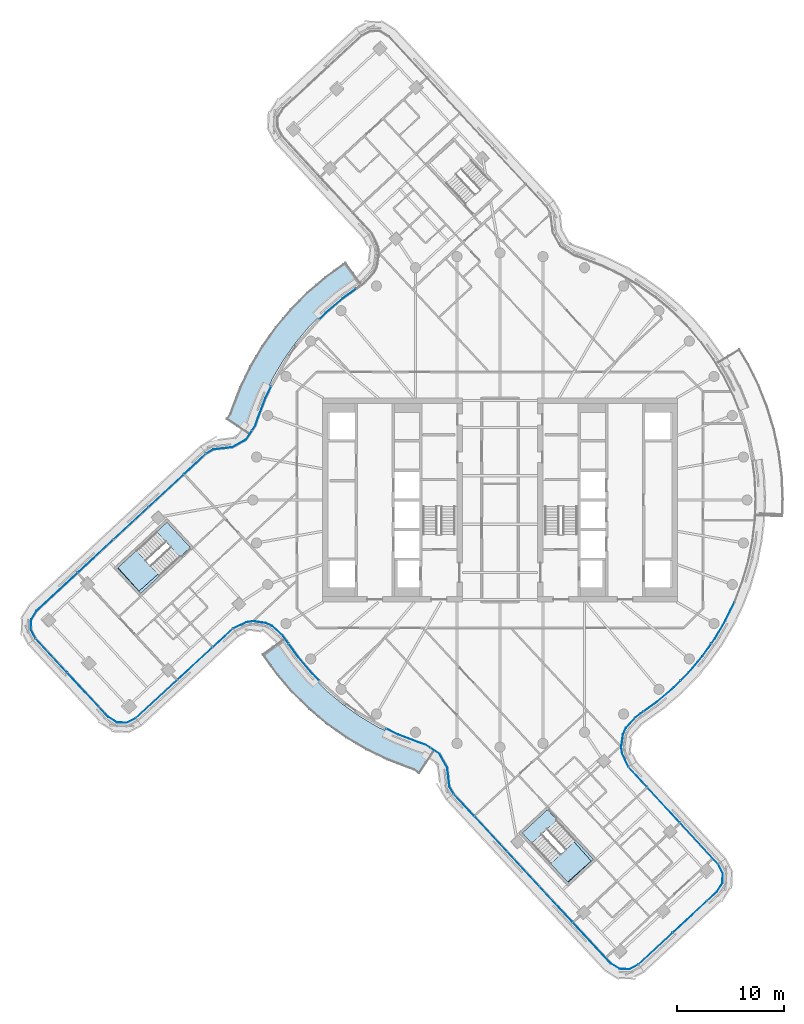
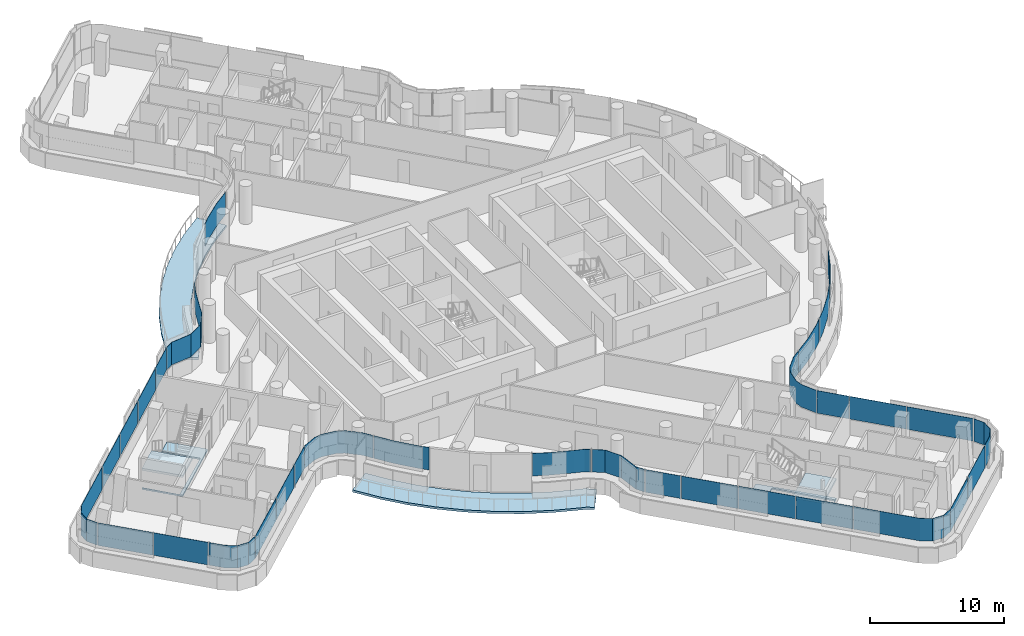
# One storey, part 18 of 34: 33 plates, 6 slabs, 11 elements without a shape of their own.
"""IFC4 building model written with IfcOpenShell, lengths in metres."""

from ifc_helpers import new_model, si_unit, direction, frame, origin, place, context, subcontext, project, spatial, polyline, outline, extrude, material, layer, layer_set, type_object, element, aggregate, save


model = new_model("IFC4")

# Units and contexts
model_context = context("Model", 3, precision=1e-05, world=origin(), true_north=direction((0.0, 1.0)))
body_context = subcontext(model_context, "Body", "Model", "MODEL_VIEW")
ifc_project = project(units=[si_unit("LENGTHUNIT", "METRE"), si_unit("AREAUNIT", "SQUARE_METRE"), si_unit("VOLUMEUNIT", "CUBIC_METRE"), si_unit("PLANEANGLEUNIT", "RADIAN"), si_unit("MASSUNIT", "GRAM", prefix="KILO")], contexts=[model_context])

# Site, building, storey
site_placement = place(None, origin())
site = spatial("IfcSite", under=ifc_project, at=site_placement, CompositionType="ELEMENT")
building_placement = place(site_placement, origin())
building = spatial("IfcBuilding", under=site, at=building_placement, Name="Tamarind Cross Interchange Tower", CompositionType="ELEMENT")
storey_placement = place(building_placement, frame((0.0, 0.0, 189.699951171875)))
storey = spatial("IfcBuildingStorey", under=building, at=storey_placement, Name="L47", CompositionType="ELEMENT", Elevation=189.699951171875)

# Slabs
ifc_material_1 = material(Name="Precast concrete C40", Category="concrete")
ifc_layer_1 = layer(ifc_material_1, 0.199951171875)
ifc_layer_set_1 = layer_set([ifc_layer_1], Name="Precast concrete C40")
slab_type_1 = type_object("IfcSlabType", Name="Balcony slab", PredefinedType="BASESLAB", material=ifc_layer_set_1)
slab_1_placement = place(storey_placement, frame((0.0, 0.0, -0.199951171875)))
element("IfcSlab", 1, at=slab_1_placement, inside=storey, type_object=slab_type_1, Name="SLB-L47-BAL06", PredefinedType="BASESLAB", context=body_context, shape_type="SweptSolid", body=[
    extrude(outline(polyline([(-13.010986328125, 20.17822265625), (-13.2109375, 20.031982421875), (-14.820068359375, 18.87255859375), (-16.327880859375, 17.584228515625), (-17.72412109375, 16.17578125), (-18.99951171875, 14.656982421875), (-20.14501953125, 13.0380859375), (-21.15283203125, 11.329833984375), (-22.01611328125, 9.54443359375), (-22.72900390625, 7.69384765625), (-22.966796875, 6.9873046875), (-23.46630859375, 6.241455078125), (-25.46044921875, 7.57666015625), (-25.139404296875, 8.056396484375), (-24.9873046875, 8.50830078125), (-24.219970703125, 10.499755859375), (-23.270263671875, 12.464111328125), (-22.161376953125, 14.343017578125), (-20.9013671875, 16.124267578125), (-19.498291015625, 17.795166015625), (-17.96240234375, 19.344482421875), (-16.303466796875, 20.76171875), (-14.62109375, 21.973876953125), (-14.4287109375, 22.11474609375), (-13.010986328125, 20.17822265625)])), origin(), (0.0, 0.0, 1.0), 0.199951171875),
])
slab_2_placement = place(storey_placement, frame((0.0, 0.0, -0.199951171875)))
element("IfcSlab", 2, at=slab_2_placement, inside=storey, type_object=slab_type_1, Name="SLB-L47-BAL10", PredefinedType="BASESLAB", context=body_context, shape_type="SweptSolid", body=[
    extrude(outline(polyline([(-20.17822265625, -13.010986328125), (-20.031982421875, -13.2109375), (-18.87255859375, -14.820068359375), (-17.584228515625, -16.327880859375), (-16.17578125, -17.72412109375), (-14.656982421875, -18.99951171875), (-13.0380859375, -20.14501953125), (-11.329833984375, -21.15283203125), (-9.54443359375, -22.01611328125), (-7.69384765625, -22.72900390625), (-6.9873046875, -22.966796875), (-6.241455078125, -23.46630859375), (-7.57666015625, -25.46044921875), (-8.056396484375, -25.139404296875), (-8.50830078125, -24.9873046875), (-10.499755859375, -24.219970703125), (-12.464111328125, -23.270263671875), (-14.343017578125, -22.161376953125), (-16.124267578125, -20.9013671875), (-17.795166015625, -19.498291015625), (-19.344482421875, -17.96240234375), (-20.76171875, -16.303466796875), (-21.973876953125, -14.62109375), (-22.11474609375, -14.4287109375), (-20.17822265625, -13.010986328125)])), origin(), (0.0, 0.0, 1.0), 0.199951171875),
])
ifc_material_2 = material(Name="Concrete C35", Category="concrete")
ifc_layer_2 = layer(ifc_material_2, 0.139892578125)
ifc_layer_set_2 = layer_set([ifc_layer_2], Name="Concrete C35")
slab_type_2 = type_object("IfcSlabType", Name="Composite slab 140 Concrete C35", PredefinedType="FLOOR", material=ifc_layer_set_2)
slab_3_placement = place(storey_placement, frame((0.0, 0.0, -0.139892578125)))
element("IfcSlab", 3, at=slab_3_placement, inside=storey, type_object=slab_type_2, Name="Floor slab L47", PredefinedType="FLOOR", context=body_context, shape_type="SweptSolid", body=[
    extrude(outline(polyline([(-35.61376953125, -6.349609375), (-33.43798828125, -8.696044921875), (-28.818115234375, -4.41259765625), (-30.993896484375, -2.066162109375), (-31.9560546875, -2.958251953125), (-29.89599609375, -5.179931640625), (-33.594482421875, -8.486083984375), (-35.553955078125, -6.294189453125), (-35.61376953125, -6.349609375)])), origin(), (0.0, 0.0, 1.0), 0.139892578125),
])
slab_4_placement = place(storey_placement, frame((0.0, 0.0, -0.139892578125)))
element("IfcSlab", 4, at=slab_4_placement, inside=storey, type_object=slab_type_2, Name="Floor slab L47", PredefinedType="FLOOR", context=body_context, shape_type="SweptSolid", body=[
    extrude(outline(polyline([(6.349609375, -35.61376953125), (8.696044921875, -33.43798828125), (4.41259765625, -28.818115234375), (2.066162109375, -30.993896484375), (2.958251953125, -31.9560546875), (5.179931640625, -29.89599609375), (8.486083984375, -33.594482421875), (6.294189453125, -35.553955078125), (6.349609375, -35.61376953125)])), origin(), (0.0, 0.0, 1.0), 0.139892578125),
])

# Stair, slab
ifc_material_3 = material(Name="Exit stair")
stair_type = type_object("IfcStairType", Name="Exit stair", PredefinedType="HALF_TURN_STAIR", material=ifc_material_3)
stair_1_placement = place(storey_placement, origin())
stair_1 = element("IfcStair", 5, at=stair_1_placement, inside=storey, type_object=stair_type, Name="L47 exit stair ST5", PredefinedType="HALF_TURN_STAIR")
ifc_material_4 = material(Name="Concrete C40", Category="concrete")
ifc_layer_3 = layer(ifc_material_4, 0.199951171875)
ifc_layer_set_3 = layer_set([ifc_layer_3], Name="Concrete C40")
slab_type_3 = type_object("IfcSlabType", Name="Stair landing", PredefinedType="LANDING", material=ifc_layer_set_3)
slab_5_placement = place(storey_placement, frame((0.0, 0.0, 1.60009765625)))
slab_5 = element("IfcSlab", 6, at=slab_5_placement, type_object=slab_type_3, Name="ST5 landing 1", PredefinedType="LANDING", context=body_context, shape_type="SweptSolid", body=[
    extrude(outline(polyline([(-33.844970703125, -4.709716796875), (-35.61376953125, -6.349609375), (-33.43798828125, -8.696044921875), (-31.669189453125, -7.05615234375), (-33.844970703125, -4.709716796875)])), origin(), (0.0, 0.0, 1.0), 0.199951171875),
])
aggregate(stair_1, [slab_5])

stair_2_placement = place(storey_placement, origin())
stair_2 = element("IfcStair", 7, at=stair_2_placement, inside=storey, type_object=stair_type, Name="L47 exit stair ST6", PredefinedType="HALF_TURN_STAIR")
slab_6_placement = place(storey_placement, frame((0.0, 0.0, 1.60009765625)))
slab_6 = element("IfcSlab", 8, at=slab_6_placement, type_object=slab_type_3, Name="ST6 landing 1", PredefinedType="LANDING", context=body_context, shape_type="SweptSolid", body=[
    extrude(outline(polyline([(4.709716796875, -33.844970703125), (6.349609375, -35.61376953125), (8.696044921875, -33.43798828125), (7.05615234375, -31.669189453125), (4.709716796875, -33.844970703125)])), origin(), (0.0, 0.0, 1.0), 0.199951171875),
])
aggregate(stair_2, [slab_6])

# Curtain wall, plates
ifc_material_5 = material(Name="Aluminium 6063-T6", Category="aluminium")
ifc_layer_4 = layer(ifc_material_5, 0.139892578125)
ifc_layer_set_4 = layer_set([ifc_layer_4], Name="Aluminium 6063-T6")
curtain_wall_type = type_object("IfcCurtainWallType", Name="Hotel curtain wall, 4.5 m bays", PredefinedType="NOTDEFINED", material=ifc_layer_set_4)
curtain_wall_1_placement = place(storey_placement, origin())
curtain_wall_1 = element("IfcCurtainWall", 9, at=curtain_wall_1_placement, inside=storey, type_object=curtain_wall_type, Name="CWS-L47-00", PredefinedType="NOTDEFINED")
ifc_material_6 = material(Name="Laminated low-e glass 6+1.52+6", Category="glass")
ifc_layer_5 = layer(ifc_material_6, 0.02392578125)
ifc_layer_set_5 = layer_set([ifc_layer_5], Name="Laminated low-e glass 6+1.52+6")
plate_type = type_object("IfcPlateType", Name="Vision panel CW2", PredefinedType="CURTAIN_PANEL", material=ifc_layer_set_5)
plate_1_placement = place(storey_placement, frame((0.0, 0.0, 1.400146484375)))
plate_1 = element("IfcPlate", 10, at=plate_1_placement, type_object=plate_type, Name="CWP-L47-00-00", PredefinedType="CURTAIN_PANEL", context=body_context, shape_type="SweptSolid", body=[
    extrude(outline(polyline([(12.90966796875, -43.194091796875), (16.05224609375, -40.2802734375), (16.068603515625, -40.2978515625), (12.926025390625, -43.2119140625), (12.90966796875, -43.194091796875)])), origin(), (0.0, 0.0, 1.0), 2.059814453125),
])
plate_2_placement = place(storey_placement, frame((0.0, 0.0, 1.400146484375)))
plate_2 = element("IfcPlate", 11, at=plate_2_placement, type_object=plate_type, Name="CWP-L47-00-01", PredefinedType="CURTAIN_PANEL", context=body_context, shape_type="SweptSolid", body=[
    extrude(outline(polyline([(16.09619140625, -40.239501953125), (19.23876953125, -37.32568359375), (19.255126953125, -37.34326171875), (16.112548828125, -40.257080078125), (16.09619140625, -40.239501953125)])), origin(), (0.0, 0.0, 1.0), 2.059814453125),
])
plate_3_placement = place(storey_placement, frame((0.0, 0.0, 1.400146484375)))
plate_3 = element("IfcPlate", 12, at=plate_3_placement, type_object=plate_type, Name="CWP-L47-00-02", PredefinedType="CURTAIN_PANEL", context=body_context, shape_type="SweptSolid", body=[
    extrude(outline(polyline([(19.28271484375, -37.284912109375), (20.1806640625, -36.452392578125), (20.686767578125, -35.647705078125), (20.7216796875, -34.7265625), (20.290771484375, -33.910888671875), (20.31201171875, -33.899658203125), (20.745849609375, -34.72119140625), (20.71044921875, -35.655029296875), (20.199462890625, -36.4677734375), (19.299072265625, -37.302490234375), (19.28271484375, -37.284912109375)])), origin(), (0.0, 0.0, 1.0), 2.059814453125),
])
aggregate(curtain_wall_1, [plate_1, plate_2, plate_3])

curtain_wall_2_placement = place(storey_placement, origin())
curtain_wall_2 = element("IfcCurtainWall", 13, at=curtain_wall_2_placement, inside=storey, type_object=curtain_wall_type, Name="CWS-L47-01", PredefinedType="NOTDEFINED")
plate_4_placement = place(storey_placement, frame((0.0, 0.0, 1.400146484375)))
plate_4 = element("IfcPlate", 14, at=plate_4_placement, type_object=plate_type, Name="CWP-L47-01-00", PredefinedType="CURTAIN_PANEL", context=body_context, shape_type="SweptSolid", body=[
    extrude(outline(polyline([(20.25830078125, -33.86474609375), (16.7548828125, -30.0595703125), (16.7724609375, -30.043212890625), (20.27587890625, -33.8486328125), (20.25830078125, -33.86474609375)])), origin(), (0.0, 0.0, 1.0), 2.059814453125),
])
plate_5_placement = place(storey_placement, frame((0.0, 0.0, 1.400146484375)))
plate_5 = element("IfcPlate", 15, at=plate_5_placement, type_object=plate_type, Name="CWP-L47-01-01", PredefinedType="CURTAIN_PANEL", context=body_context, shape_type="SweptSolid", body=[
    extrude(outline(polyline([(16.71435546875, -30.015380859375), (13.7060546875, -26.747802734375), (13.723876953125, -26.731689453125), (16.73193359375, -29.9990234375), (16.71435546875, -30.015380859375)])), origin(), (0.0, 0.0, 1.0), 2.059814453125),
])
plate_6_placement = place(storey_placement, frame((0.0, 0.0, 1.400146484375)))
plate_6 = element("IfcPlate", 16, at=plate_6_placement, type_object=plate_type, Name="CWP-L47-01-02", PredefinedType="CURTAIN_PANEL", context=body_context, shape_type="SweptSolid", body=[
    extrude(outline(polyline([(13.66552734375, -26.703857421875), (11.981201171875, -24.874267578125), (11.9990234375, -24.858154296875), (13.68310546875, -26.6875), (13.66552734375, -26.703857421875)])), origin(), (0.0, 0.0, 1.0), 2.059814453125),
])
aggregate(curtain_wall_2, [plate_4, plate_5, plate_6])

curtain_wall_3_placement = place(storey_placement, origin())
curtain_wall_3 = element("IfcCurtainWall", 17, at=curtain_wall_3_placement, inside=storey, type_object=curtain_wall_type, Name="CWS-L47-02", PredefinedType="NOTDEFINED")
plate_7_placement = place(storey_placement, frame((0.0, 0.0, 1.400146484375)))
plate_7 = element("IfcPlate", 18, at=plate_7_placement, type_object=plate_type, Name="CWP-L47-02-00", PredefinedType="CURTAIN_PANEL", context=body_context, shape_type="SweptSolid", body=[
    extrude(outline(polyline([(11.946044921875, -24.822509765625), (11.36279296875, -23.61767578125), (11.265380859375, -22.98974609375), (11.439208984375, -21.781982421875), (11.70947265625, -21.20703125), (12.62353515625, -20.19921875), (13.086181640625, -19.8603515625), (13.34130859375, -19.676513671875), (13.35546875, -19.696044921875), (13.100341796875, -19.8798828125), (12.6396484375, -20.217041015625), (11.729736328125, -21.220458984375), (11.46240234375, -21.788818359375), (11.28955078125, -22.98974609375), (11.385986328125, -23.6103515625), (11.967529296875, -24.81201171875), (11.946044921875, -24.822509765625)])), origin(), (0.0, 0.0, 1.0), 2.059814453125),
])
plate_8_placement = place(storey_placement, frame((0.0, 0.0, 1.400146484375)))
plate_8 = element("IfcPlate", 19, at=plate_8_placement, type_object=plate_type, Name="CWP-L47-02-01", PredefinedType="CURTAIN_PANEL", context=body_context, shape_type="SweptSolid", body=[
    extrude(outline(polyline([(13.39013671875, -19.6416015625), (14.68896484375, -18.705810546875), (16.183349609375, -17.4287109375), (16.779052734375, -16.828125), (16.796142578125, -16.844970703125), (16.19970703125, -17.4462890625), (14.703857421875, -18.724609375), (13.404052734375, -19.6611328125), (13.39013671875, -19.6416015625)])), origin(), (0.0, 0.0, 1.0), 2.059814453125),
])
plate_9_placement = place(storey_placement, frame((0.0, 0.0, 1.400146484375)))
plate_9 = element("IfcPlate", 20, at=plate_9_placement, type_object=plate_type, Name="CWP-L47-02-02", PredefinedType="CURTAIN_PANEL", context=body_context, shape_type="SweptSolid", body=[
    extrude(outline(polyline([(16.8212890625, -16.785400390625), (17.5673828125, -16.032958984375), (18.83154296875, -14.52734375), (19.62841796875, -13.40087890625), (19.64794921875, -13.414794921875), (18.850341796875, -14.5419921875), (17.585205078125, -16.049072265625), (16.83837890625, -16.80224609375), (16.8212890625, -16.785400390625)])), origin(), (0.0, 0.0, 1.0), 2.059814453125),
])
plate_10_placement = place(storey_placement, frame((0.0, 0.0, 1.400146484375)))
plate_10 = element("IfcPlate", 21, at=plate_10_placement, type_object=plate_type, Name="CWP-L47-02-03", PredefinedType="CURTAIN_PANEL", context=body_context, shape_type="SweptSolid", body=[
    extrude(outline(polyline([(19.6630859375, -13.35205078125), (19.966796875, -12.922607421875), (20.9658203125, -11.229736328125), (21.798583984375, -9.50732421875), (21.8203125, -9.517578125), (20.98681640625, -11.240966796875), (19.987060546875, -12.935791015625), (19.6826171875, -13.365966796875), (19.6630859375, -13.35205078125)])), origin(), (0.0, 0.0, 1.0), 2.059814453125),
])
aggregate(curtain_wall_3, [plate_7, plate_8, plate_9, plate_10])

curtain_wall_4_placement = place(storey_placement, origin())
curtain_wall_4 = element("IfcCurtainWall", 22, at=curtain_wall_4_placement, inside=storey, type_object=curtain_wall_type, Name="CWS-L47-06", PredefinedType="NOTDEFINED")
plate_11_placement = place(storey_placement, frame((0.0, 0.0, 1.400146484375)))
plate_11 = element("IfcPlate", 23, at=plate_11_placement, type_object=plate_type, Name="CWP-L47-06-01", PredefinedType="CURTAIN_PANEL", context=body_context, shape_type="SweptSolid", body=[
    extrude(outline(polyline([(-13.39013671875, 19.6416015625), (-14.68896484375, 18.705810546875), (-16.183349609375, 17.4287109375), (-16.779052734375, 16.828125), (-16.796142578125, 16.844970703125), (-16.19970703125, 17.4462890625), (-14.703857421875, 18.724609375), (-13.404052734375, 19.6611328125), (-13.39013671875, 19.6416015625)])), origin(), (0.0, 0.0, 1.0), 2.059814453125),
])
plate_12_placement = place(storey_placement, frame((0.0, 0.0, 1.400146484375)))
plate_12 = element("IfcPlate", 24, at=plate_12_placement, type_object=plate_type, Name="CWP-L47-06-03", PredefinedType="CURTAIN_PANEL", context=body_context, shape_type="SweptSolid", body=[
    extrude(outline(polyline([(-21.291259765625, 10.556640625), (-21.821533203125, 9.4599609375), (-22.529541015625, 7.621826171875), (-22.77490234375, 6.892822265625), (-23.046630859375, 6.487060546875), (-23.066650390625, 6.50048828125), (-22.796630859375, 6.903564453125), (-22.55224609375, 7.6298828125), (-21.843505859375, 9.469482421875), (-21.312744140625, 10.567138671875), (-21.291259765625, 10.556640625)])), origin(), (0.0, 0.0, 1.0), 2.059814453125),
])
plate_13_placement = place(storey_placement, frame((0.0, 0.0, 1.400146484375)))
plate_13 = element("IfcPlate", 25, at=plate_13_placement, type_object=plate_type, Name="CWP-L47-06-04", PredefinedType="CURTAIN_PANEL", context=body_context, shape_type="SweptSolid", body=[
    extrude(outline(polyline([(-23.080078125, 6.437255859375), (-23.634033203125, 5.609619140625), (-24.890380859375, 4.900146484375), (-25.888671875, 4.783447265625), (-26.6806640625, 4.69482421875), (-27.3212890625, 4.314697265625), (-27.33349609375, 4.33544921875), (-26.6884765625, 4.71826171875), (-25.891357421875, 4.807373046875), (-24.89794921875, 4.923583984375), (-23.65087890625, 5.627685546875), (-23.10009765625, 6.450439453125), (-23.080078125, 6.437255859375)])), origin(), (0.0, 0.0, 1.0), 2.059814453125),
])
aggregate(curtain_wall_4, [plate_11, plate_12, plate_13])

curtain_wall_5_placement = place(storey_placement, origin())
curtain_wall_5 = element("IfcCurtainWall", 26, at=curtain_wall_5_placement, inside=storey, type_object=curtain_wall_type, Name="CWS-L47-07", PredefinedType="NOTDEFINED")
plate_14_placement = place(storey_placement, frame((0.0, 0.0, 1.400146484375)))
plate_14 = element("IfcPlate", 27, at=plate_14_placement, type_object=plate_type, Name="CWP-L47-07-00", PredefinedType="CURTAIN_PANEL", context=body_context, shape_type="SweptSolid", body=[
    extrude(outline(polyline([(-27.3671875, 4.280517578125), (-29.390869140625, 2.404052734375), (-29.406982421875, 2.421630859375), (-27.38330078125, 4.298095703125), (-27.3671875, 4.280517578125)])), origin(), (0.0, 0.0, 1.0), 2.059814453125),
])
plate_15_placement = place(storey_placement, frame((0.0, 0.0, 1.400146484375)))
plate_15 = element("IfcPlate", 28, at=plate_15_placement, type_object=plate_type, Name="CWP-L47-07-01", PredefinedType="CURTAIN_PANEL", context=body_context, shape_type="SweptSolid", body=[
    extrude(outline(polyline([(-29.434814453125, 2.36328125), (-32.683349609375, -0.648681640625), (-32.69970703125, -0.631103515625), (-29.451171875, 2.380859375), (-29.434814453125, 2.36328125)])), origin(), (0.0, 0.0, 1.0), 2.059814453125),
])
plate_16_placement = place(storey_placement, frame((0.0, 0.0, 1.400146484375)))
plate_16 = element("IfcPlate", 29, at=plate_16_placement, type_object=plate_type, Name="CWP-L47-07-02", PredefinedType="CURTAIN_PANEL", context=body_context, shape_type="SweptSolid", body=[
    extrude(outline(polyline([(-32.727294921875, -0.689453125), (-35.975830078125, -3.70166015625), (-35.9921875, -3.68408203125), (-32.74365234375, -0.671875), (-32.727294921875, -0.689453125)])), origin(), (0.0, 0.0, 1.0), 2.059814453125),
])
plate_17_placement = place(storey_placement, frame((0.0, 0.0, 1.400146484375)))
plate_17 = element("IfcPlate", 30, at=plate_17_placement, type_object=plate_type, Name="CWP-L47-07-03", PredefinedType="CURTAIN_PANEL", context=body_context, shape_type="SweptSolid", body=[
    extrude(outline(polyline([(-36.019775390625, -3.742431640625), (-39.268310546875, -6.75439453125), (-39.28466796875, -6.73681640625), (-36.0361328125, -3.724853515625), (-36.019775390625, -3.742431640625)])), origin(), (0.0, 0.0, 1.0), 2.059814453125),
])
plate_18_placement = place(storey_placement, frame((0.0, 0.0, 1.400146484375)))
plate_18 = element("IfcPlate", 31, at=plate_18_placement, type_object=plate_type, Name="CWP-L47-07-04", PredefinedType="CURTAIN_PANEL", context=body_context, shape_type="SweptSolid", body=[
    extrude(outline(polyline([(-39.312255859375, -6.795166015625), (-43.11669921875, -10.322509765625), (-43.62255859375, -11.127197265625), (-43.657470703125, -12.048095703125), (-43.226806640625, -12.863525390625), (-43.248046875, -12.874755859375), (-43.681640625, -12.0537109375), (-43.646240234375, -11.119873046875), (-43.13525390625, -10.30712890625), (-39.32861328125, -6.777587890625), (-39.312255859375, -6.795166015625)])), origin(), (0.0, 0.0, 1.0), 2.059814453125),
])
aggregate(curtain_wall_5, [plate_14, plate_15, plate_16, plate_17, plate_18])

curtain_wall_6_placement = place(storey_placement, origin())
curtain_wall_6 = element("IfcCurtainWall", 32, at=curtain_wall_6_placement, inside=storey, type_object=curtain_wall_type, Name="CWS-L47-08", PredefinedType="NOTDEFINED")
plate_19_placement = place(storey_placement, frame((0.0, 0.0, 1.400146484375)))
plate_19 = element("IfcPlate", 33, at=plate_19_placement, type_object=plate_type, Name="CWP-L47-08-00", PredefinedType="CURTAIN_PANEL", context=body_context, shape_type="SweptSolid", body=[
    extrude(outline(polyline([(-43.194091796875, -12.90966796875), (-40.2802734375, -16.05224609375), (-40.2978515625, -16.068603515625), (-43.2119140625, -12.926025390625), (-43.194091796875, -12.90966796875)])), origin(), (0.0, 0.0, 1.0), 2.059814453125),
])
plate_20_placement = place(storey_placement, frame((0.0, 0.0, 1.400146484375)))
plate_20 = element("IfcPlate", 34, at=plate_20_placement, type_object=plate_type, Name="CWP-L47-08-01", PredefinedType="CURTAIN_PANEL", context=body_context, shape_type="SweptSolid", body=[
    extrude(outline(polyline([(-40.239501953125, -16.09619140625), (-37.32568359375, -19.23876953125), (-37.34326171875, -19.255126953125), (-40.257080078125, -16.112548828125), (-40.239501953125, -16.09619140625)])), origin(), (0.0, 0.0, 1.0), 2.059814453125),
])
plate_21_placement = place(storey_placement, frame((0.0, 0.0, 1.400146484375)))
plate_21 = element("IfcPlate", 35, at=plate_21_placement, type_object=plate_type, Name="CWP-L47-08-02", PredefinedType="CURTAIN_PANEL", context=body_context, shape_type="SweptSolid", body=[
    extrude(outline(polyline([(-37.284912109375, -19.28271484375), (-36.452392578125, -20.1806640625), (-35.647705078125, -20.686767578125), (-34.7265625, -20.7216796875), (-33.910888671875, -20.290771484375), (-33.899658203125, -20.31201171875), (-34.72119140625, -20.745849609375), (-35.655029296875, -20.71044921875), (-36.4677734375, -20.199462890625), (-37.302490234375, -19.299072265625), (-37.284912109375, -19.28271484375)])), origin(), (0.0, 0.0, 1.0), 2.059814453125),
])
aggregate(curtain_wall_6, [plate_19, plate_20, plate_21])

curtain_wall_7_placement = place(storey_placement, origin())
curtain_wall_7 = element("IfcCurtainWall", 36, at=curtain_wall_7_placement, inside=storey, type_object=curtain_wall_type, Name="CWS-L47-09", PredefinedType="NOTDEFINED")
plate_22_placement = place(storey_placement, frame((0.0, 0.0, 1.400146484375)))
plate_22 = element("IfcPlate", 37, at=plate_22_placement, type_object=plate_type, Name="CWP-L47-09-00", PredefinedType="CURTAIN_PANEL", context=body_context, shape_type="SweptSolid", body=[
    extrude(outline(polyline([(-33.86474609375, -20.25830078125), (-30.0595703125, -16.7548828125), (-30.043212890625, -16.7724609375), (-33.8486328125, -20.27587890625), (-33.86474609375, -20.25830078125)])), origin(), (0.0, 0.0, 1.0), 2.059814453125),
])
plate_23_placement = place(storey_placement, frame((0.0, 0.0, 1.400146484375)))
plate_23 = element("IfcPlate", 38, at=plate_23_placement, type_object=plate_type, Name="CWP-L47-09-01", PredefinedType="CURTAIN_PANEL", context=body_context, shape_type="SweptSolid", body=[
    extrude(outline(polyline([(-30.015380859375, -16.71435546875), (-26.747802734375, -13.7060546875), (-26.731689453125, -13.723876953125), (-29.9990234375, -16.73193359375), (-30.015380859375, -16.71435546875)])), origin(), (0.0, 0.0, 1.0), 2.059814453125),
])
plate_24_placement = place(storey_placement, frame((0.0, 0.0, 1.400146484375)))
plate_24 = element("IfcPlate", 39, at=plate_24_placement, type_object=plate_type, Name="CWP-L47-09-02", PredefinedType="CURTAIN_PANEL", context=body_context, shape_type="SweptSolid", body=[
    extrude(outline(polyline([(-26.703857421875, -13.66552734375), (-24.874267578125, -11.981201171875), (-24.858154296875, -11.9990234375), (-26.6875, -13.68310546875), (-26.703857421875, -13.66552734375)])), origin(), (0.0, 0.0, 1.0), 2.059814453125),
])
aggregate(curtain_wall_7, [plate_22, plate_23, plate_24])

curtain_wall_8_placement = place(storey_placement, origin())
curtain_wall_8 = element("IfcCurtainWall", 40, at=curtain_wall_8_placement, inside=storey, type_object=curtain_wall_type, Name="CWS-L47-10", PredefinedType="NOTDEFINED")
plate_25_placement = place(storey_placement, frame((0.0, 0.0, 1.400146484375)))
plate_25 = element("IfcPlate", 41, at=plate_25_placement, type_object=plate_type, Name="CWP-L47-10-00", PredefinedType="CURTAIN_PANEL", context=body_context, shape_type="SweptSolid", body=[
    extrude(outline(polyline([(-24.822509765625, -11.946044921875), (-23.61767578125, -11.36279296875), (-22.98974609375, -11.265380859375), (-21.781982421875, -11.439208984375), (-21.20703125, -11.70947265625), (-20.19921875, -12.62353515625), (-19.8603515625, -13.086181640625), (-19.676513671875, -13.34130859375), (-19.696044921875, -13.35546875), (-19.8798828125, -13.100341796875), (-20.217041015625, -12.6396484375), (-21.220458984375, -11.729736328125), (-21.788818359375, -11.46240234375), (-22.98974609375, -11.28955078125), (-23.6103515625, -11.385986328125), (-24.81201171875, -11.967529296875), (-24.822509765625, -11.946044921875)])), origin(), (0.0, 0.0, 1.0), 2.059814453125),
])
plate_26_placement = place(storey_placement, frame((0.0, 0.0, 1.400146484375)))
plate_26 = element("IfcPlate", 42, at=plate_26_placement, type_object=plate_type, Name="CWP-L47-10-01", PredefinedType="CURTAIN_PANEL", context=body_context, shape_type="SweptSolid", body=[
    extrude(outline(polyline([(-19.6416015625, -13.39013671875), (-18.705810546875, -14.68896484375), (-17.4287109375, -16.183349609375), (-16.828125, -16.779052734375), (-16.844970703125, -16.796142578125), (-17.4462890625, -16.19970703125), (-18.724609375, -14.703857421875), (-19.6611328125, -13.404052734375), (-19.6416015625, -13.39013671875)])), origin(), (0.0, 0.0, 1.0), 2.059814453125),
])
plate_27_placement = place(storey_placement, frame((0.0, 0.0, 1.400146484375)))
plate_27 = element("IfcPlate", 43, at=plate_27_placement, type_object=plate_type, Name="CWP-L47-10-03", PredefinedType="CURTAIN_PANEL", context=body_context, shape_type="SweptSolid", body=[
    extrude(outline(polyline([(-10.556640625, -21.291259765625), (-9.4599609375, -21.821533203125), (-7.621826171875, -22.529541015625), (-6.892822265625, -22.77490234375), (-6.487060546875, -23.046630859375), (-6.50048828125, -23.066650390625), (-6.903564453125, -22.796630859375), (-7.6298828125, -22.55224609375), (-9.469482421875, -21.843505859375), (-10.567138671875, -21.312744140625), (-10.556640625, -21.291259765625)])), origin(), (0.0, 0.0, 1.0), 2.059814453125),
])
plate_28_placement = place(storey_placement, frame((0.0, 0.0, 1.400146484375)))
plate_28 = element("IfcPlate", 44, at=plate_28_placement, type_object=plate_type, Name="CWP-L47-10-04", PredefinedType="CURTAIN_PANEL", context=body_context, shape_type="SweptSolid", body=[
    extrude(outline(polyline([(-6.437255859375, -23.080078125), (-5.609619140625, -23.634033203125), (-4.900146484375, -24.890380859375), (-4.783447265625, -25.888671875), (-4.69482421875, -26.6806640625), (-4.314697265625, -27.3212890625), (-4.33544921875, -27.33349609375), (-4.71826171875, -26.6884765625), (-4.807373046875, -25.891357421875), (-4.923583984375, -24.89794921875), (-5.627685546875, -23.65087890625), (-6.450439453125, -23.10009765625), (-6.437255859375, -23.080078125)])), origin(), (0.0, 0.0, 1.0), 2.059814453125),
])
aggregate(curtain_wall_8, [plate_25, plate_26, plate_27, plate_28])

curtain_wall_9_placement = place(storey_placement, origin())
curtain_wall_9 = element("IfcCurtainWall", 45, at=curtain_wall_9_placement, inside=storey, type_object=curtain_wall_type, Name="CWS-L47-11", PredefinedType="NOTDEFINED")
plate_29_placement = place(storey_placement, frame((0.0, 0.0, 1.400146484375)))
plate_29 = element("IfcPlate", 46, at=plate_29_placement, type_object=plate_type, Name="CWP-L47-11-00", PredefinedType="CURTAIN_PANEL", context=body_context, shape_type="SweptSolid", body=[
    extrude(outline(polyline([(-4.280517578125, -27.3671875), (-2.404052734375, -29.390869140625), (-2.421630859375, -29.406982421875), (-4.298095703125, -27.38330078125), (-4.280517578125, -27.3671875)])), origin(), (0.0, 0.0, 1.0), 2.059814453125),
])
plate_30_placement = place(storey_placement, frame((0.0, 0.0, 1.400146484375)))
plate_30 = element("IfcPlate", 47, at=plate_30_placement, type_object=plate_type, Name="CWP-L47-11-01", PredefinedType="CURTAIN_PANEL", context=body_context, shape_type="SweptSolid", body=[
    extrude(outline(polyline([(-2.36328125, -29.434814453125), (0.648681640625, -32.683349609375), (0.631103515625, -32.69970703125), (-2.380859375, -29.451171875), (-2.36328125, -29.434814453125)])), origin(), (0.0, 0.0, 1.0), 2.059814453125),
])
plate_31_placement = place(storey_placement, frame((0.0, 0.0, 1.400146484375)))
plate_31 = element("IfcPlate", 48, at=plate_31_placement, type_object=plate_type, Name="CWP-L47-11-02", PredefinedType="CURTAIN_PANEL", context=body_context, shape_type="SweptSolid", body=[
    extrude(outline(polyline([(0.689453125, -32.727294921875), (3.70166015625, -35.975830078125), (3.68408203125, -35.9921875), (0.671875, -32.74365234375), (0.689453125, -32.727294921875)])), origin(), (0.0, 0.0, 1.0), 2.059814453125),
])
plate_32_placement = place(storey_placement, frame((0.0, 0.0, 1.400146484375)))
plate_32 = element("IfcPlate", 49, at=plate_32_placement, type_object=plate_type, Name="CWP-L47-11-03", PredefinedType="CURTAIN_PANEL", context=body_context, shape_type="SweptSolid", body=[
    extrude(outline(polyline([(3.742431640625, -36.019775390625), (6.75439453125, -39.268310546875), (6.73681640625, -39.28466796875), (3.724853515625, -36.0361328125), (3.742431640625, -36.019775390625)])), origin(), (0.0, 0.0, 1.0), 2.059814453125),
])
plate_33_placement = place(storey_placement, frame((0.0, 0.0, 1.400146484375)))
plate_33 = element("IfcPlate", 50, at=plate_33_placement, type_object=plate_type, Name="CWP-L47-11-04", PredefinedType="CURTAIN_PANEL", context=body_context, shape_type="SweptSolid", body=[
    extrude(outline(polyline([(6.795166015625, -39.312255859375), (10.322509765625, -43.11669921875), (11.127197265625, -43.62255859375), (12.048095703125, -43.657470703125), (12.863525390625, -43.226806640625), (12.874755859375, -43.248046875), (12.0537109375, -43.681640625), (11.119873046875, -43.646240234375), (10.30712890625, -43.13525390625), (6.777587890625, -39.32861328125), (6.795166015625, -39.312255859375)])), origin(), (0.0, 0.0, 1.0), 2.059814453125),
])
aggregate(curtain_wall_9, [plate_29, plate_30, plate_31, plate_32, plate_33])

save(model, "model.ifc")
